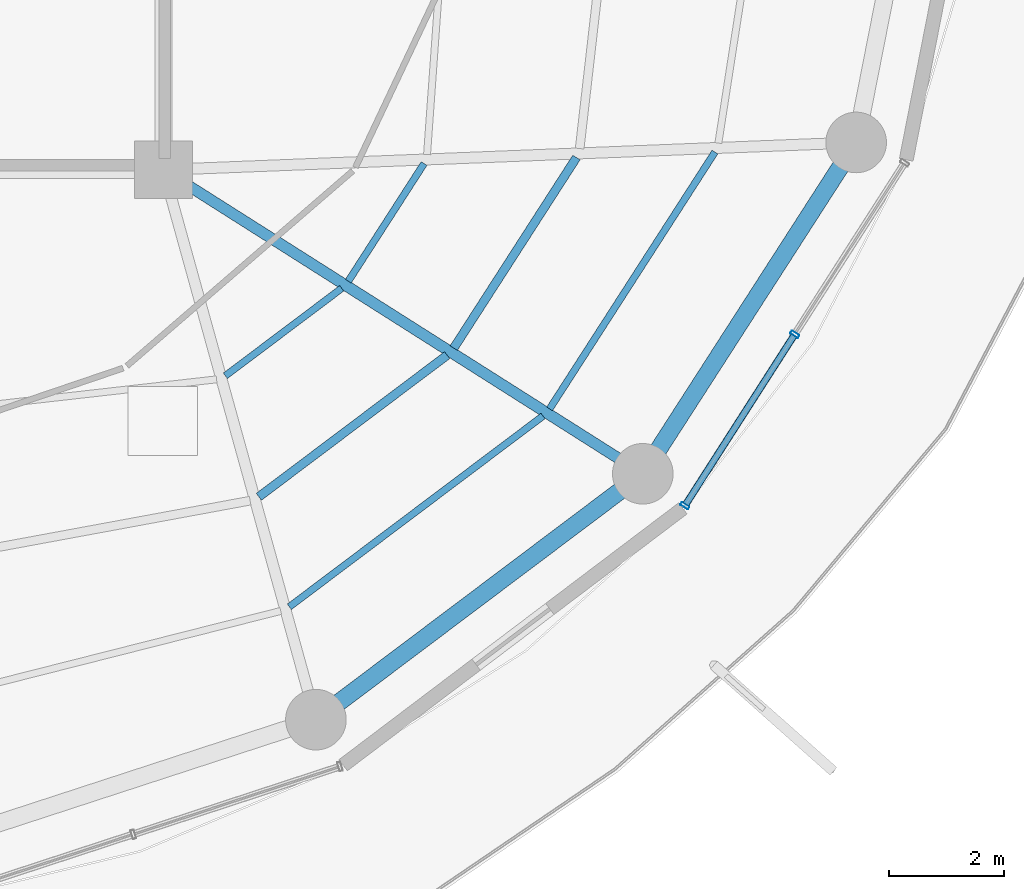
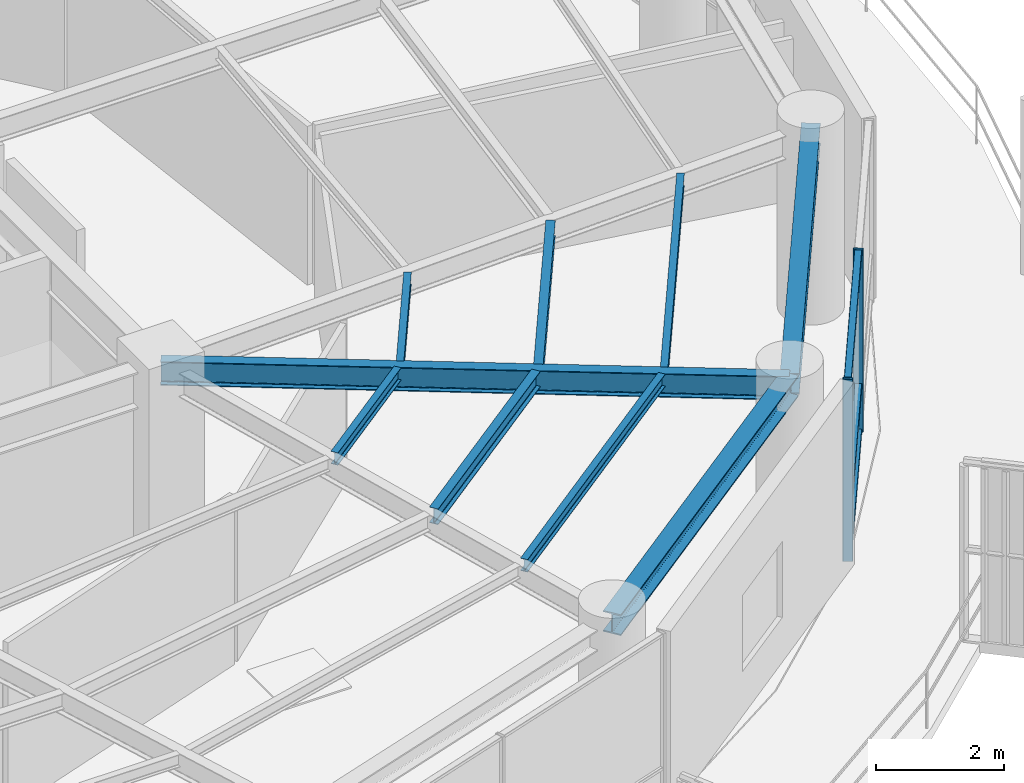
# One storey, part 11 of 31: 9 beams, 5 members, 1 element without a shape of its own.
"""IFC4 building model written with IfcOpenShell, lengths in metres."""

from ifc_helpers import new_model, si_unit, direction, frame, origin, origin_2d, place, context, subcontext, project, spatial, hollow_rectangle, i_section, extrude, material, layer, layer_set, material_profile, profile_set, type_object, element, aggregate, save


model = new_model("IFC4")

# Units and contexts
model_context = context("Model", 3, precision=1e-05, world=origin(), true_north=direction((0.0, 1.0)))
body_context = subcontext(model_context, "Body", "Model", "MODEL_VIEW")
ifc_project = project(units=[si_unit("LENGTHUNIT", "METRE"), si_unit("AREAUNIT", "SQUARE_METRE"), si_unit("VOLUMEUNIT", "CUBIC_METRE"), si_unit("PLANEANGLEUNIT", "RADIAN"), si_unit("MASSUNIT", "GRAM", prefix="KILO")], contexts=[model_context])

# Site, building, storey
site_placement = place(None, origin())
site = spatial("IfcSite", under=ifc_project, at=site_placement, CompositionType="ELEMENT")
building_placement = place(site_placement, origin())
building = spatial("IfcBuilding", under=site, at=building_placement, Name="Kelanora Arch Commons", CompositionType="ELEMENT")
storey_placement = place(building_placement, frame((0.0, 0.0, 219.449951171875)))
storey = spatial("IfcBuildingStorey", under=building, at=storey_placement, Name="L56", CompositionType="ELEMENT", Elevation=219.449951171875)

# Beams
ifc_material_1 = material(Name="Steel S355", Category="steel")
ifc_material_profile_1 = material_profile(ifc_material_1, i_section(OverallWidth=0.14990234375, OverallDepth=0.300048828125, WebThickness=0.007080078125, FlangeThickness=0.0107421875, FilletRadius=0.014892578125, at=origin_2d()), Name="IPE300")
ifc_profile_set_1 = profile_set([ifc_material_profile_1], Name="Steel S355")
beam_type_1 = type_object("IfcBeamType", Name="BM-JST-01", PredefinedType="JOIST", material=ifc_profile_set_1)
beam_1_placement = place(storey_placement, frame((83.65185546875, 45.3369140625, 3.340087890625), z_axis=(0.799101708656, 0.601195857624, 0.0), x_axis=(-0.601195857624, 0.799101708656, 0.0)))
element("IfcBeam", 1, at=beam_1_placement, inside=storey, type_object=beam_type_1, Name="Secondary Chord Joist BJB-30 L56", PredefinedType="JOIST", context=body_context, shape_type="SweptSolid", body=[
    extrude(i_section(OverallWidth=0.14990234375, OverallDepth=0.300048828125, WebThickness=0.007080078125, FlangeThickness=0.0107421875, FilletRadius=0.014892578125, at=origin_2d()), origin(), (0.0, 0.0, 1.0), 4.080810546875),
])
beam_2_placement = place(storey_placement, frame((87.02685546875, 47.912841796875, 3.340087890625), z_axis=(0.541411265892, 0.840757896879, 0.0), x_axis=(-0.840757896879, 0.541411265892, 0.0)))
element("IfcBeam", 2, at=beam_2_placement, inside=storey, type_object=beam_type_1, Name="Secondary Chord Joist BJB-32 L56", PredefinedType="JOIST", context=body_context, shape_type="SweptSolid", body=[
    extrude(i_section(OverallWidth=0.14990234375, OverallDepth=0.300048828125, WebThickness=0.007080078125, FlangeThickness=0.0107421875, FilletRadius=0.014892578125, at=origin_2d()), origin(), (0.0, 0.0, 1.0), 3.92529296875),
])
ifc_material_profile_2 = material_profile(ifc_material_1, i_section(OverallWidth=0.1201171875, OverallDepth=0.239990234375, WebThickness=0.006103515625, FlangeThickness=0.009765625, FilletRadius=0.014892578125, at=origin_2d()), Name="IPE240")
ifc_profile_set_2 = profile_set([ifc_material_profile_2], Name="Steel S355")
beam_type_2 = type_object("IfcBeamType", Name="BM-JST-02", PredefinedType="JOIST", material=ifc_profile_set_2)
beam_3_placement = place(storey_placement, frame((83.071044921875, 47.43212890625, 3.3701171875), z_axis=(0.79911638933, 0.601176343766, 0.0), x_axis=(-0.601176343766, 0.79911638933, 0.0)))
element("IfcBeam", 3, at=beam_3_placement, inside=storey, type_object=beam_type_2, Name="Secondary Chord Joist BJA-30 L56", PredefinedType="JOIST", context=body_context, shape_type="SweptSolid", body=[
    extrude(i_section(OverallWidth=0.1201171875, OverallDepth=0.239990234375, WebThickness=0.006103515625, FlangeThickness=0.009765625, FilletRadius=0.014892578125, at=origin_2d()), origin(), (0.0, 0.0, 1.0), 2.522216796875),
])
beam_4_placement = place(storey_placement, frame((84.179931640625, 43.43212890625, 3.3701171875), z_axis=(0.799109197935, 0.601185902842, 0.0), x_axis=(-0.601185902842, 0.799109197935, 0.0)))
element("IfcBeam", 4, at=beam_4_placement, inside=storey, type_object=beam_type_2, Name="Secondary Chord Joist BJC-30 L56", PredefinedType="JOIST", context=body_context, shape_type="SweptSolid", body=[
    extrude(i_section(OverallWidth=0.1201171875, OverallDepth=0.239990234375, WebThickness=0.006103515625, FlangeThickness=0.009765625, FilletRadius=0.014892578125, at=origin_2d()), origin(), (0.0, 0.0, 1.0), 5.497802734375),
])
beam_5_placement = place(storey_placement, frame((85.20068359375, 49.071044921875, 3.3701171875), z_axis=(0.541332763503, 0.840808443796, 0.0), x_axis=(-0.840808443796, 0.541332763503, 0.0)))
element("IfcBeam", 5, at=beam_5_placement, inside=storey, type_object=beam_type_2, Name="Secondary Chord Joist BJA-32 L56", PredefinedType="JOIST", context=body_context, shape_type="SweptSolid", body=[
    extrude(i_section(OverallWidth=0.1201171875, OverallDepth=0.239990234375, WebThickness=0.006103515625, FlangeThickness=0.009765625, FilletRadius=0.014892578125, at=origin_2d()), origin(), (0.0, 0.0, 1.0), 2.423583984375),
])
beam_6_placement = place(storey_placement, frame((88.68701171875, 46.85986328125, 3.3701171875), z_axis=(0.541382492679, 0.840776424872, 0.0), x_axis=(-0.840776424872, 0.541382492679, 0.0)))
element("IfcBeam", 6, at=beam_6_placement, inside=storey, type_object=beam_type_2, Name="Secondary Chord Joist BJC-32 L56", PredefinedType="JOIST", context=body_context, shape_type="SweptSolid", body=[
    extrude(i_section(OverallWidth=0.1201171875, OverallDepth=0.239990234375, WebThickness=0.006103515625, FlangeThickness=0.009765625, FilletRadius=0.014892578125, at=origin_2d()), origin(), (0.0, 0.0, 1.0), 5.29052734375),
])
ifc_material_profile_3 = material_profile(ifc_material_1, i_section(OverallWidth=0.18994140625, OverallDepth=0.449951171875, WebThickness=0.009521484375, FlangeThickness=0.0146484375, FilletRadius=0.02099609375, at=origin_2d()), Name="IPE450")
ifc_profile_set_3 = profile_set([ifc_material_profile_3], Name="Steel S355")
beam_type_3 = type_object("IfcBeamType", Name="BM-RAD-Z4", PredefinedType="BEAM", material=ifc_profile_set_3)
beam_7_placement = place(storey_placement, frame((82.0, 51.0, 3.26513671875), z_axis=(0.844507208607, -0.535544185489, 0.0), x_axis=(0.535544185489, 0.844507208607, 0.0)))
element("IfcBeam", 7, at=beam_7_placement, inside=storey, type_object=beam_type_3, Name="Radial Floor Girder BR-32 L56", PredefinedType="BEAM", context=body_context, shape_type="SweptSolid", body=[
    extrude(i_section(OverallWidth=0.18994140625, OverallDepth=0.449951171875, WebThickness=0.009521484375, FlangeThickness=0.0146484375, FilletRadius=0.02099609375, at=origin_2d()), origin(), (0.0, 0.0, 1.0), 9.830078125),
])
ifc_material_profile_4 = material_profile(ifc_material_1, i_section(OverallWidth=0.300048828125, OverallDepth=0.39990234375, WebThickness=0.013427734375, FlangeThickness=0.02392578125, FilletRadius=0.027099609375, at=origin_2d()), Name="HEB400")
ifc_profile_set_4 = profile_set([ifc_material_profile_4], Name="Steel S355")
beam_type_4 = type_object("IfcBeamType", Name="BM-SPN-Z4", PredefinedType="SPANDREL", material=ifc_profile_set_4)
beam_8_placement = place(storey_placement, frame((84.639892578125, 41.476318359375, 3.2900390625), z_axis=(0.799114211715, 0.60117923836, 0.0), x_axis=(-0.60117923836, 0.799114211715, 0.0)))
element("IfcBeam", 8, at=beam_8_placement, inside=storey, type_object=beam_type_4, Name="Perimeter Spandrel Beam BS-30 L56", PredefinedType="SPANDREL", context=body_context, shape_type="SweptSolid", body=[
    extrude(i_section(OverallWidth=0.300048828125, OverallDepth=0.39990234375, WebThickness=0.013427734375, FlangeThickness=0.02392578125, FilletRadius=0.027099609375, at=origin_2d()), origin(), (0.0, 0.0, 1.0), 7.0849609375),
])
beam_9_placement = place(storey_placement, frame((90.301513671875, 45.735595703125, 3.2900390625), z_axis=(0.541364878868, 0.840787766281, 0.0), x_axis=(-0.840787766281, 0.541364878868, 0.0)))
element("IfcBeam", 9, at=beam_9_placement, inside=storey, type_object=beam_type_4, Name="Perimeter Spandrel Beam BS-32 L56", PredefinedType="SPANDREL", context=body_context, shape_type="SweptSolid", body=[
    extrude(i_section(OverallWidth=0.300048828125, OverallDepth=0.39990234375, WebThickness=0.013427734375, FlangeThickness=0.02392578125, FilletRadius=0.027099609375, at=origin_2d()), origin(), (0.0, 0.0, 1.0), 6.825439453125),
])

# Curtain wall, members
ifc_material_2 = material(Name="Terracotta ceramic-fritted low-E glass and aluminium", Category="masonry")
ifc_layer = layer(ifc_material_2, 0.175048828125)
ifc_layer_set = layer_set([ifc_layer], Name="Terracotta ceramic-fritted low-E glass and aluminium")
curtain_wall_type = type_object("IfcCurtainWallType", Name="CW-SYS-02", PredefinedType="NOTDEFINED", material=ifc_layer_set)
curtain_wall_placement = place(storey_placement, origin())
curtain_wall = element("IfcCurtainWall", 10, at=curtain_wall_placement, inside=storey, type_object=curtain_wall_type, Name="Unitised Curtain Wall L56-B16", PredefinedType="NOTDEFINED")
ifc_material_3 = material(Name="Powder-coated aluminium terracotta", Category="masonry")
ifc_material_profile_5 = material_profile(ifc_material_3, hollow_rectangle(XDim=0.159912109375, YDim=0.06005859375, WallThickness=0.0048828125, InnerFilletRadius=0.0048828125, OuterFilletRadius=0.010009765625, at=origin_2d()), Name="CWM160x60")
ifc_profile_set_5 = profile_set([ifc_material_profile_5], Name="Powder-coated aluminium terracotta")
member_type_1 = type_object("IfcMemberType", Name="CWM-STD", PredefinedType="MULLION", material=ifc_profile_set_5)
member_1_placement = place(storey_placement, frame((91.030517578125, 45.18212890625, 0.0), z_axis=(0.0, 0.0, 1.0), x_axis=(-0.84194757539, 0.539559338994, 0.0)))
member_1 = element("IfcMember", 11, at=member_1_placement, type_object=member_type_1, Name="CW-02 mullion 1", PredefinedType="MULLION", context=body_context, shape_type="SweptSolid", body=[
    extrude(hollow_rectangle(XDim=0.159912109375, YDim=0.06005859375, WallThickness=0.0048828125, InnerFilletRadius=0.0048828125, OuterFilletRadius=0.010009765625, at=origin_2d()), origin(), (0.0, 0.0, 1.0), 3.47509765625),
])
member_2_placement = place(storey_placement, frame((92.93359375, 48.15185546875, 0.0), z_axis=(0.0, 0.0, 1.0), x_axis=(-0.84194757539, 0.539559338994, 0.0)))
member_2 = element("IfcMember", 12, at=member_2_placement, type_object=member_type_1, Name="CW-02 mullion 2", PredefinedType="MULLION", context=body_context, shape_type="SweptSolid", body=[
    extrude(hollow_rectangle(XDim=0.159912109375, YDim=0.06005859375, WallThickness=0.0048828125, InnerFilletRadius=0.0048828125, OuterFilletRadius=0.010009765625, at=origin_2d()), origin(), (0.0, 0.0, 1.0), 3.47509765625),
])
ifc_material_profile_6 = material_profile(ifc_material_3, hollow_rectangle(XDim=0.1201171875, YDim=0.06005859375, WallThickness=0.0048828125, InnerFilletRadius=0.0048828125, OuterFilletRadius=0.010009765625, at=origin_2d()), Name="CWT120x60")
ifc_profile_set_6 = profile_set([ifc_material_profile_6], Name="Powder-coated aluminium terracotta")
member_type_2 = type_object("IfcMemberType", Name="CWT-STD", PredefinedType="USERDEFINED", material=ifc_profile_set_6)
member_3_placement = place(storey_placement, frame((91.046630859375, 45.207275390625, 0.030029296875), z_axis=(0.53954710894, 0.841955412854, 0.0), x_axis=(-0.841955412854, 0.53954710894, 0.0)))
member_3 = element("IfcMember", 13, at=member_3_placement, type_object=member_type_2, Name="CW-02 transom 1.1", ObjectType="TRANSOM", PredefinedType="USERDEFINED", context=body_context, shape_type="SweptSolid", body=[
    extrude(hollow_rectangle(XDim=0.1201171875, YDim=0.06005859375, WallThickness=0.0048828125, InnerFilletRadius=0.0048828125, OuterFilletRadius=0.010009765625, at=origin_2d()), origin(), (0.0, 0.0, 1.0), 3.467529296875),
])
member_4_placement = place(storey_placement, frame((91.046630859375, 45.207275390625, 0.900146484375), z_axis=(0.53954710894, 0.841955412854, 0.0), x_axis=(-0.841955412854, 0.53954710894, 0.0)))
member_4 = element("IfcMember", 14, at=member_4_placement, type_object=member_type_2, Name="CW-02 transom 1.2", ObjectType="TRANSOM", PredefinedType="USERDEFINED", context=body_context, shape_type="SweptSolid", body=[
    extrude(hollow_rectangle(XDim=0.1201171875, YDim=0.06005859375, WallThickness=0.0048828125, InnerFilletRadius=0.0048828125, OuterFilletRadius=0.010009765625, at=origin_2d()), origin(), (0.0, 0.0, 1.0), 3.467529296875),
])
member_5_placement = place(storey_placement, frame((91.046630859375, 45.207275390625, 3.445068359375), z_axis=(0.53954710894, 0.841955412854, 0.0), x_axis=(-0.841955412854, 0.53954710894, 0.0)))
member_5 = element("IfcMember", 15, at=member_5_placement, type_object=member_type_2, Name="CW-02 transom 1.3", ObjectType="TRANSOM", PredefinedType="USERDEFINED", context=body_context, shape_type="SweptSolid", body=[
    extrude(hollow_rectangle(XDim=0.1201171875, YDim=0.06005859375, WallThickness=0.0048828125, InnerFilletRadius=0.0048828125, OuterFilletRadius=0.010009765625, at=origin_2d()), origin(), (0.0, 0.0, 1.0), 3.467529296875),
])
aggregate(curtain_wall, [member_1, member_2, member_3, member_4, member_5])

save(model, "model.ifc")
